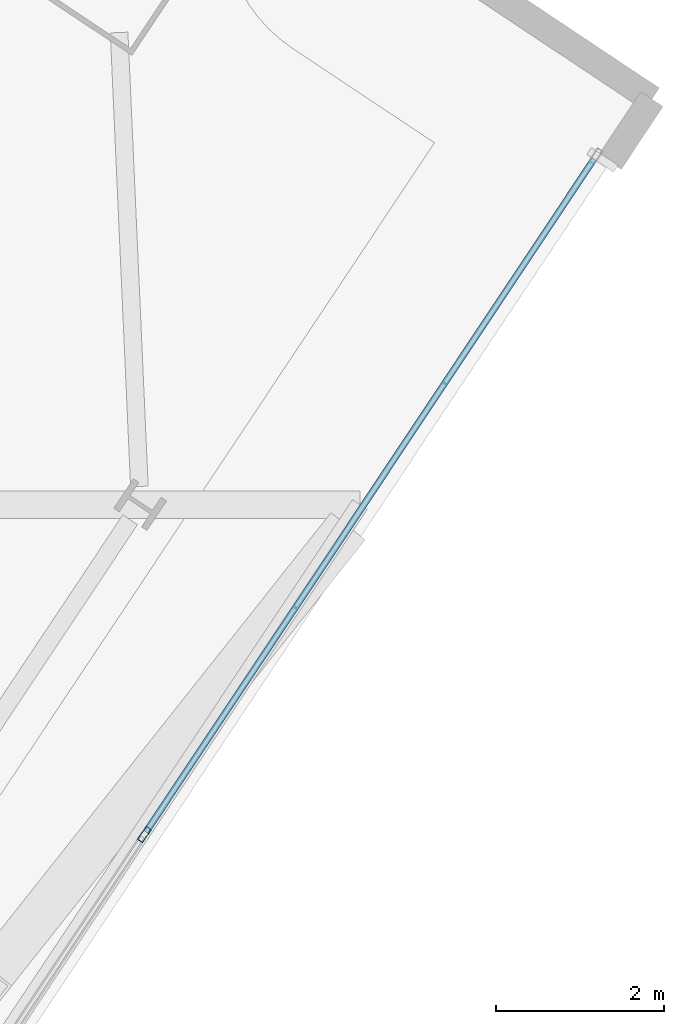
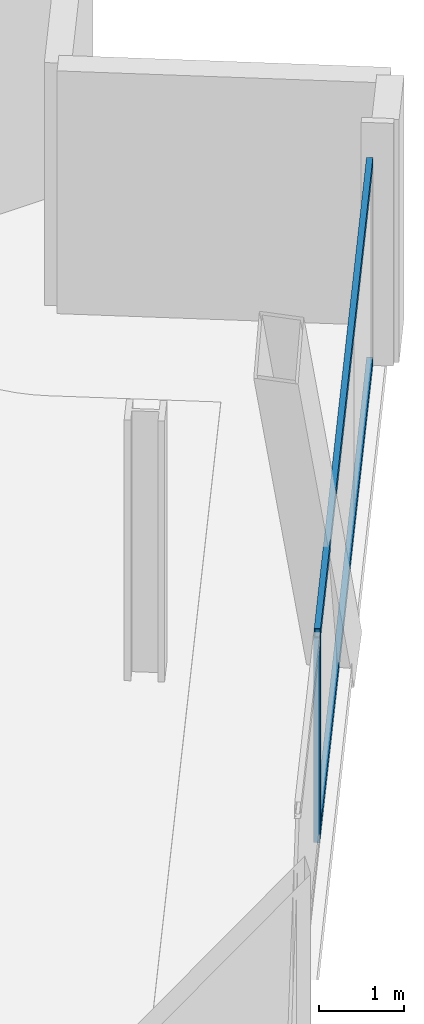
# One storey, part 13 of 32: 3 members, 1 element without a shape of its own.
"""IFC4 building model written with IfcOpenShell, lengths in metres."""

from ifc_helpers import new_model, si_unit, direction, frame, origin, origin_2d, place, context, subcontext, project, spatial, hollow_rectangle, extrude, material, material_profile, profile_set, type_object, element, aggregate, save


model = new_model("IFC4")

# Units and contexts
model_context = context("Model", 3, precision=1e-05, world=origin(), true_north=direction((0.0, 1.0)))
body_context = subcontext(model_context, "Body", "Model", "MODEL_VIEW")
ifc_project = project(units=[si_unit("LENGTHUNIT", "METRE"), si_unit("AREAUNIT", "SQUARE_METRE"), si_unit("VOLUMEUNIT", "CUBIC_METRE"), si_unit("PLANEANGLEUNIT", "RADIAN"), si_unit("MASSUNIT", "GRAM", prefix="KILO")], contexts=[model_context])

# Site, building, storey
site_placement = place(None, origin())
site = spatial("IfcSite", under=ifc_project, at=site_placement, CompositionType="ELEMENT")
building_placement = place(site_placement, origin())
building = spatial("IfcBuilding", under=site, at=building_placement, Name="Haldenkirk Collegiate Tower", CompositionType="ELEMENT")
storey_placement = place(building_placement, frame((0.0, 0.0, 217.199951171875)))
storey = spatial("IfcBuildingStorey", under=building, at=storey_placement, Name="L54", CompositionType="ELEMENT", Elevation=217.199951171875)

# Curtain wall, members
ifc_material = material(Name="Anodised architectural bronze aluminium", Category="aluminium")
curtain_wall_type = type_object("IfcCurtainWallType", Name="CW-SYS2-CONCAVE", PredefinedType="USERDEFINED", material=ifc_material)
curtain_wall_placement = place(storey_placement, origin())
curtain_wall = element("IfcCurtainWall", 1, at=curtain_wall_placement, inside=storey, type_object=curtain_wall_type, Name="L54 South concave recessed bronze-anodised curtain wall", ObjectType="UNITISED CURTAIN WALL", PredefinedType="USERDEFINED")
ifc_material_profile_1 = material_profile(ifc_material, hollow_rectangle(XDim=0.074951171875, YDim=0.18994140625, WallThickness=0.0048828125, at=origin_2d()), Name="CW-MUL-02")
ifc_profile_set_1 = profile_set([ifc_material_profile_1], Name="Anodised architectural bronze aluminium")
member_type_1 = type_object("IfcMemberType", Name="CW-MUL-02", PredefinedType="MULLION", material=ifc_profile_set_1)
member_1_placement = place(storey_placement, frame((60.815185546875, 21.1943359375, 0.0), z_axis=(0.0, 0.0, 1.0), x_axis=(0.832438256204, -0.55411781203, 0.0)))
member_1 = element("IfcMember", 2, at=member_1_placement, type_object=member_type_1, Name="CW-02 mullion 2", PredefinedType="MULLION", context=body_context, shape_type="SweptSolid", body=[
    extrude(hollow_rectangle(XDim=0.074951171875, YDim=0.18994140625, WallThickness=0.0048828125, at=origin_2d()), origin(), (0.0, 0.0, 1.0), 2.927978515625),
])
ifc_material_profile_2 = material_profile(ifc_material, hollow_rectangle(XDim=0.074951171875, YDim=0.159912109375, WallThickness=0.0048828125, at=origin_2d()), Name="CW-TRN-02")
ifc_profile_set_2 = profile_set([ifc_material_profile_2], Name="Anodised architectural bronze aluminium")
member_type_2 = type_object("IfcMemberType", Name="CW-TRN-02", PredefinedType="USERDEFINED", material=ifc_profile_set_2)
member_2_placement = place(storey_placement, frame((66.17626953125, 29.248046875, 0.03759765625), z_axis=(-0.554115471217, -0.832439814376, 0.0), x_axis=(0.832439814376, -0.554115471217, 0.0)))
member_2 = element("IfcMember", 3, at=member_2_placement, type_object=member_type_2, Name="CW-02 transom 1.1", ObjectType="TRANSOM", PredefinedType="USERDEFINED", context=body_context, shape_type="SweptSolid", body=[
    extrude(hollow_rectangle(XDim=0.074951171875, YDim=0.159912109375, WallThickness=0.0048828125, at=origin_2d()), origin(), (0.0, 0.0, 1.0), 9.6376953125),
])
member_3_placement = place(storey_placement, frame((66.17626953125, 29.248046875, 2.890625), z_axis=(-0.554115471217, -0.832439814376, 0.0), x_axis=(0.832439814376, -0.554115471217, 0.0)))
member_3 = element("IfcMember", 4, at=member_3_placement, type_object=member_type_2, Name="CW-02 transom 1.2", ObjectType="TRANSOM", PredefinedType="USERDEFINED", context=body_context, shape_type="SweptSolid", body=[
    extrude(hollow_rectangle(XDim=0.074951171875, YDim=0.159912109375, WallThickness=0.0048828125, at=origin_2d()), origin(), (0.0, 0.0, 1.0), 9.6376953125),
])
aggregate(curtain_wall, [member_1, member_2, member_3])

save(model, "model.ifc")
